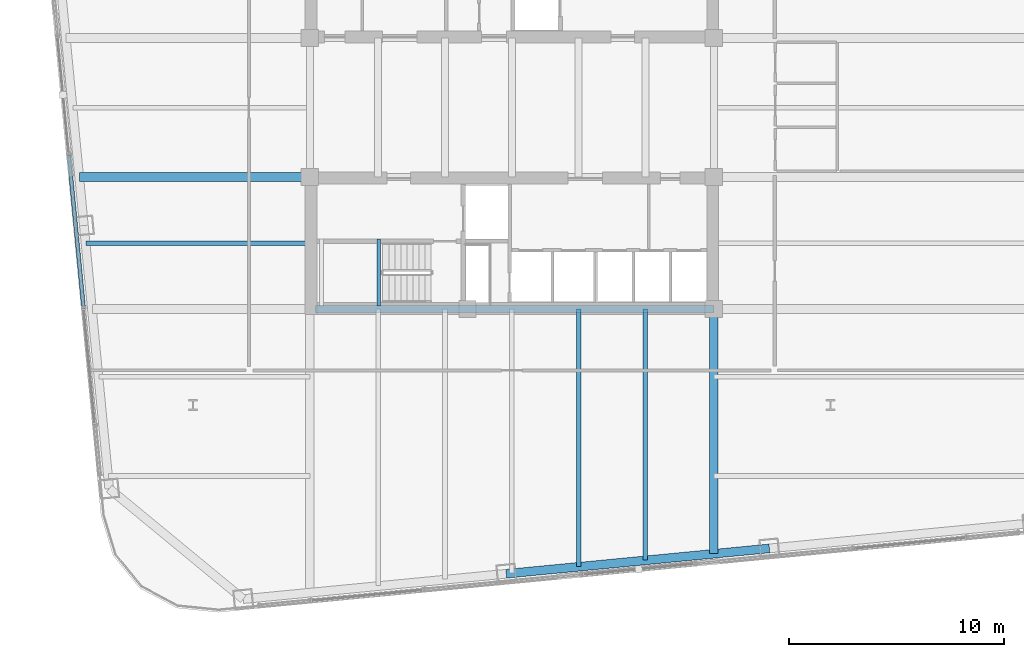
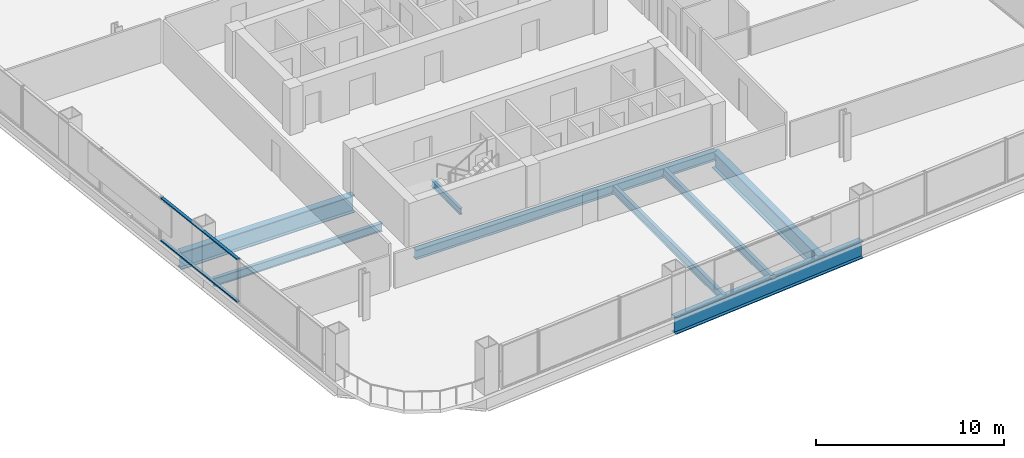
# One storey, part 6 of 26: 8 beams, 2 members, 1 element without a shape of its own.
"""IFC4 building model written with IfcOpenShell, lengths in metres."""

from ifc_helpers import new_model, si_unit, direction, frame, origin, origin_2d, place, context, subcontext, project, spatial, hollow_rectangle, i_section, extrude, material, layer, layer_set, material_profile, profile_set, type_object, element, aggregate, save


model = new_model("IFC4")

# Units and contexts
model_context = context("Model", 3, precision=1e-05, world=origin(), true_north=direction((0.0, 1.0)))
body_context = subcontext(model_context, "Body", "Model", "MODEL_VIEW")
ifc_project = project(units=[si_unit("LENGTHUNIT", "METRE"), si_unit("AREAUNIT", "SQUARE_METRE"), si_unit("VOLUMEUNIT", "CUBIC_METRE"), si_unit("PLANEANGLEUNIT", "RADIAN"), si_unit("MASSUNIT", "GRAM", prefix="KILO")], contexts=[model_context])

# Site, building, storey
site_placement = place(None, origin())
site = spatial("IfcSite", under=ifc_project, at=site_placement, CompositionType="ELEMENT")
building_placement = place(site_placement, origin())
building = spatial("IfcBuilding", under=site, at=building_placement, Name="Qhalaya Broadcast Tower", CompositionType="ELEMENT")
storey_placement = place(building_placement, frame((0.0, 0.0, 72.5)))
storey = spatial("IfcBuildingStorey", under=building, at=storey_placement, Name="L20", CompositionType="ELEMENT", Elevation=72.5)

# Beams
ifc_material_1 = material(Name="Structural Steel ASTM A992 Grade 50", Category="steel")
ifc_material_profile_1 = material_profile(ifc_material_1, i_section(OverallWidth=0.2099609375, OverallDepth=0.535888671875, WebThickness=0.010986328125, FlangeThickness=0.017333984375, at=origin_2d()), Name="W21X68")
ifc_profile_set_1 = profile_set([ifc_material_profile_1], Name="Structural Steel ASTM A992 Grade 50")
beam_type_1 = type_object("IfcBeamType", Name="Composite Floor Joist J02", PredefinedType="JOIST", material=ifc_profile_set_1)
beam_1_placement = place(storey_placement, frame((3.10009765625, -20.693603515625, -0.488037109375), z_axis=(0.0, 1.0, 0.0), x_axis=(-1.0, 0.0, 0.0)))
element("IfcBeam", 1, at=beam_1_placement, inside=storey, type_object=beam_type_1, Name="L20 J02 L20-JNS4-1", PredefinedType="JOIST", context=body_context, shape_type="SweptSolid", body=[
    extrude(i_section(OverallWidth=0.2099609375, OverallDepth=0.535888671875, WebThickness=0.010986328125, FlangeThickness=0.017333984375, at=origin_2d()), origin(), (0.0, 0.0, 1.0), 11.943603515625),
])
beam_2_placement = place(storey_placement, frame((6.199951171875, -20.395263671875, -0.488037109375), z_axis=(0.0, 1.0, 0.0), x_axis=(-1.0, 0.0, 0.0)))
element("IfcBeam", 2, at=beam_2_placement, inside=storey, type_object=beam_type_1, Name="L20 J02 L20-JNS5-1", PredefinedType="JOIST", context=body_context, shape_type="SweptSolid", body=[
    extrude(i_section(OverallWidth=0.2099609375, OverallDepth=0.535888671875, WebThickness=0.010986328125, FlangeThickness=0.017333984375, at=origin_2d()), origin(), (0.0, 0.0, 1.0), 11.645263671875),
])
beam_3_placement = place(storey_placement, frame((-19.76171875, -5.699951171875, -0.488037109375), z_axis=(1.0, 0.0, 0.0), x_axis=(0.0, 1.0, 0.0)))
element("IfcBeam", 3, at=beam_3_placement, inside=storey, type_object=beam_type_1, Name="L20 J02 L20-JWE3W-1", PredefinedType="JOIST", context=body_context, shape_type="SweptSolid", body=[
    extrude(i_section(OverallWidth=0.2099609375, OverallDepth=0.535888671875, WebThickness=0.010986328125, FlangeThickness=0.017333984375, at=origin_2d()), origin(), (0.0, 0.0, 1.0), 10.38671875),
])
ifc_material_profile_2 = material_profile(ifc_material_1, i_section(OverallWidth=0.323974609375, OverallDepth=0.612060546875, WebThickness=0.0126953125, FlangeThickness=0.01904296875, at=origin_2d()), Name="W24X104")
ifc_profile_set_2 = profile_set([ifc_material_profile_2], Name="Structural Steel ASTM A992 Grade 50")
beam_type_2 = type_object("IfcBeamType", Name="Core Frame Tie Beam B04", PredefinedType="BEAM", material=ifc_profile_set_2)
beam_4_placement = place(storey_placement, frame((-9.1201171875, -8.75, -0.52587890625), z_axis=(1.0, 0.0, 0.0), x_axis=(0.0, 1.0, 0.0)))
element("IfcBeam", 4, at=beam_4_placement, inside=storey, type_object=beam_type_2, Name="L20 B04 L20-CCS3", PredefinedType="BEAM", context=body_context, shape_type="SweptSolid", body=[
    extrude(i_section(OverallWidth=0.323974609375, OverallDepth=0.612060546875, WebThickness=0.0126953125, FlangeThickness=0.01904296875, at=origin_2d()), origin(), (0.0, 0.0, 1.0), 18.4951171875),
])
ifc_material_profile_3 = material_profile(ifc_material_1, i_section(OverallWidth=0.404052734375, OverallDepth=1.117919921875, WebThickness=0.026123046875, FlangeThickness=0.044921875, at=origin_2d()), Name="W44X335")
ifc_profile_set_3 = profile_set([ifc_material_profile_3], Name="Structural Steel ASTM A992 Grade 50")
beam_type_3 = type_object("IfcBeamType", Name="Podium Long-Span Primary Girder PG1", PredefinedType="USERDEFINED", material=ifc_profile_set_3)
beam_5_placement = place(storey_placement, frame((-0.255126953125, -21.036865234375, -0.779052734375), z_axis=(0.99539563662, 0.095851586307, 0.0), x_axis=(-0.095851586307, 0.99539563662, 0.0)))
element("IfcBeam", 5, at=beam_5_placement, inside=storey, type_object=beam_type_3, Name="L20 PG1 L20-SPR-02", ObjectType="GIRDER", PredefinedType="USERDEFINED", context=body_context, shape_type="SweptSolid", body=[
    extrude(i_section(OverallWidth=0.404052734375, OverallDepth=1.117919921875, WebThickness=0.026123046875, FlangeThickness=0.044921875, at=origin_2d()), origin(), (0.0, 0.0, 1.0), 12.2666015625),
])
beam_6_placement = place(storey_placement, frame((9.375, -20.089599609375, -0.779052734375), z_axis=(0.0, 1.0, 0.0), x_axis=(-1.0, 0.0, 0.0)))
element("IfcBeam", 6, at=beam_6_placement, inside=storey, type_object=beam_type_3, Name="L20 PG1 L20-PGXS2-1", ObjectType="GIRDER", PredefinedType="USERDEFINED", context=body_context, shape_type="SweptSolid", body=[
    extrude(i_section(OverallWidth=0.404052734375, OverallDepth=1.117919921875, WebThickness=0.026123046875, FlangeThickness=0.044921875, at=origin_2d()), origin(), (0.0, 0.0, 1.0), 11.339599609375),
])
beam_7_placement = place(storey_placement, frame((-20.057861328125, -2.625, -0.779052734375), z_axis=(1.0, 0.0, 0.0), x_axis=(0.0, 1.0, 0.0)))
element("IfcBeam", 7, at=beam_7_placement, inside=storey, type_object=beam_type_3, Name="L20 PG1 L20-PGYW2-1", ObjectType="GIRDER", PredefinedType="USERDEFINED", context=body_context, shape_type="SweptSolid", body=[
    extrude(i_section(OverallWidth=0.404052734375, OverallDepth=1.117919921875, WebThickness=0.026123046875, FlangeThickness=0.044921875, at=origin_2d()), origin(), (0.0, 0.0, 1.0), 10.682861328125),
])

# Curtain wall, members
ifc_material_2 = material(Name="Fired Architectural Terracotta", Category="masonry")
ifc_layer = layer(ifc_material_2, 0.219970703125, Name="Fired Architectural Terracotta")
ifc_layer_set = layer_set([ifc_layer], Name="Fired Architectural Terracotta")
curtain_wall_type = type_object("IfcCurtainWallType", Name="Block-Cap Unitised Terracotta Spandrel Wall CW-07", PredefinedType="NOTDEFINED", material=ifc_layer_set)
curtain_wall_placement = place(storey_placement, origin())
curtain_wall = element("IfcCurtainWall", 8, at=curtain_wall_placement, inside=storey, type_object=curtain_wall_type, Name="L20 Unitised Curtain Wall L20-CW-W5", PredefinedType="NOTDEFINED")
ifc_material_3 = material(Name="Anodised Aluminium 6063-T6", Category="aluminium")
ifc_material_profile_4 = material_profile(ifc_material_3, hollow_rectangle(XDim=0.074951171875, YDim=0.179931640625, WallThickness=0.00390625, at=origin_2d()), Name="ALU-TRN 75x180x4")
ifc_profile_set_4 = profile_set([ifc_material_profile_4], Name="Anodised Aluminium 6063-T6")
member_type = type_object("IfcMemberType", Name="Unitised Curtain-Wall Transom T01", PredefinedType="USERDEFINED", material=ifc_profile_set_4)
member_1_placement = place(storey_placement, frame((-20.55712890625, -1.611328125, 0.03759765625), z_axis=(0.095838119582, -0.995396933306, 0.0), x_axis=(0.0, 0.0, 1.0)))
member_1 = element("IfcMember", 9, at=member_1_placement, type_object=member_type, Name="CW-07 transom 1.1", ObjectType="TRANSOM", PredefinedType="USERDEFINED", context=body_context, shape_type="SweptSolid", body=[
    extrude(hollow_rectangle(XDim=0.074951171875, YDim=0.179931640625, WallThickness=0.00390625, at=origin_2d()), origin(), (0.0, 0.0, 1.0), 7.031005859375),
])
member_2_placement = place(storey_placement, frame((-20.55712890625, -1.611328125, 2.79248046875), z_axis=(0.095838119582, -0.995396933306, 0.0), x_axis=(0.0, 0.0, 1.0)))
member_2 = element("IfcMember", 10, at=member_2_placement, type_object=member_type, Name="CW-07 transom 1.2", ObjectType="TRANSOM", PredefinedType="USERDEFINED", context=body_context, shape_type="SweptSolid", body=[
    extrude(hollow_rectangle(XDim=0.074951171875, YDim=0.179931640625, WallThickness=0.00390625, at=origin_2d()), origin(), (0.0, 0.0, 1.0), 7.031005859375),
])
aggregate(curtain_wall, [member_1, member_2])

# Beam
ifc_material_profile_5 = material_profile(ifc_material_1, i_section(OverallWidth=0.177978515625, OverallDepth=0.406005859375, WebThickness=0.0078125, FlangeThickness=0.0126953125, at=origin_2d()), Name="W16X40")
ifc_profile_set_5 = profile_set([ifc_material_profile_5], Name="Structural Steel ASTM A992 Grade 50")
beam_type_4 = type_object("IfcBeamType", Name="Upper Perimeter Spandrel Beam SP2", PredefinedType="SPANDREL", material=ifc_profile_set_5)
beam_8_placement = place(storey_placement, frame((-6.175048828125, -8.6201171875, 1.1220703125), z_axis=(0.0, 1.0, 0.0), x_axis=(-1.0, 0.0, 0.0)))
element("IfcBeam", 11, at=beam_8_placement, inside=storey, type_object=beam_type_4, Name="L20 ST-2 Half-Landing Bearer Beam 2", PredefinedType="SPANDREL", context=body_context, shape_type="SweptSolid", body=[
    extrude(i_section(OverallWidth=0.177978515625, OverallDepth=0.406005859375, WebThickness=0.0078125, FlangeThickness=0.0126953125, at=origin_2d()), origin(), (0.0, 0.0, 1.0), 3.1201171875),
])

save(model, "model.ifc")
